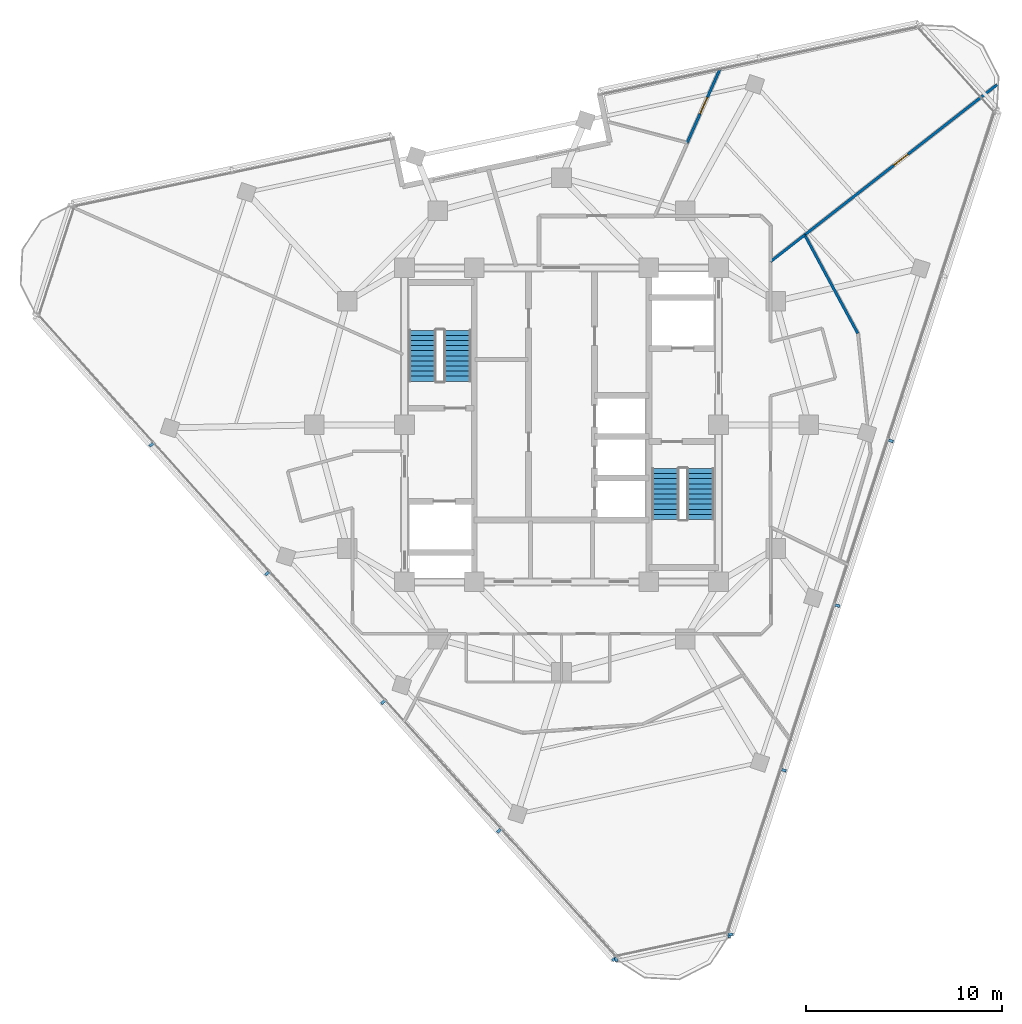
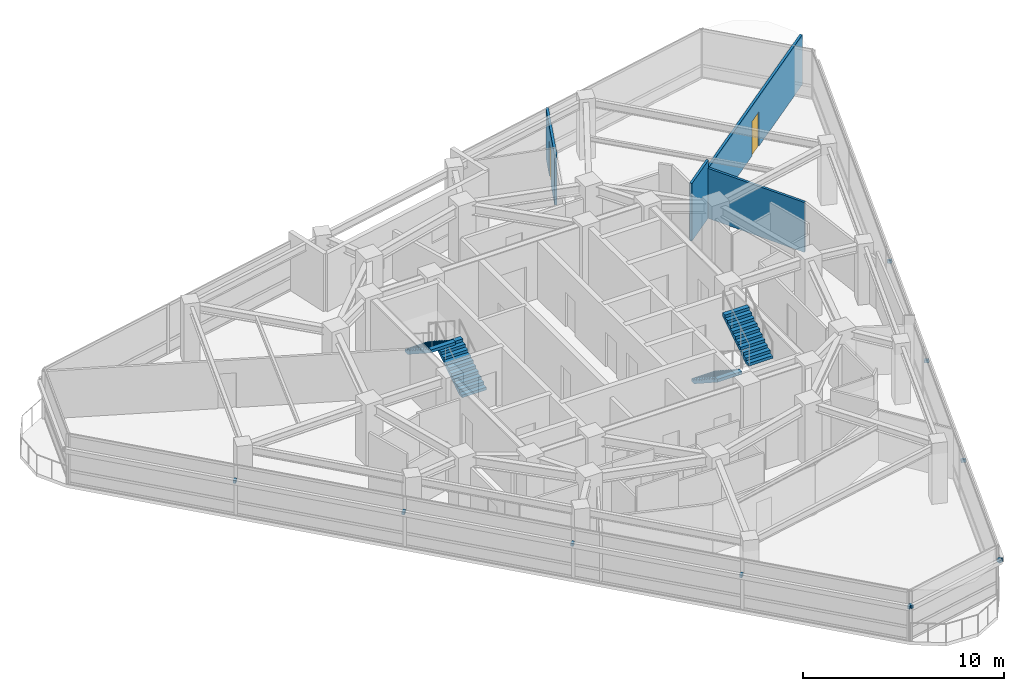
# One storey, part 10 of 15: 11 discrete accessories, 4 stair flights, 4 walls, 2 doors, 2 openings, 2 elements without a shape of their own.
"""IFC4 building model written with IfcOpenShell, lengths in metres."""

from ifc_helpers import new_model, si_unit, direction, frame, frame_2d, origin, origin_2d, place, context, subcontext, project, spatial, polyline, rectangle, outline, extrude, material, layer, layer_set, type_object, element, fill, aggregate, save


model = new_model("IFC4")

# Units and contexts
model_context = context("Model", 3, precision=1e-05, world=origin(), true_north=direction((0.0, 1.0)))
body_context = subcontext(model_context, "Body", "Model", "MODEL_VIEW")
ifc_project = project(units=[si_unit("LENGTHUNIT", "METRE"), si_unit("AREAUNIT", "SQUARE_METRE"), si_unit("VOLUMEUNIT", "CUBIC_METRE"), si_unit("PLANEANGLEUNIT", "RADIAN"), si_unit("MASSUNIT", "GRAM", prefix="KILO")], contexts=[model_context])

# Site, building, storey
site_placement = place(None, origin())
site = spatial("IfcSite", under=ifc_project, at=site_placement, CompositionType="ELEMENT")
building_placement = place(site_placement, origin())
building = spatial("IfcBuilding", under=site, at=building_placement, Name="Terralouvre Media Tower", CompositionType="ELEMENT")
storey_placement = place(building_placement, frame((0.0, 0.0, 298.0)))
storey = spatial("IfcBuildingStorey", under=building, at=storey_placement, Name="L77", CompositionType="ELEMENT", Elevation=298.0)

# Walls
ifc_material_1 = material(Name="Fire-rated gypsum board drywall partition")
ifc_layer = layer(ifc_material_1, 0.135009765625, Name="Newsroom Acoustic Partition PT-135")
ifc_layer_set = layer_set([ifc_layer], Name="Fire-rated gypsum board drywall partition")
wall_type = type_object("IfcWallType", Name="Newsroom Acoustic Partition PT-135", PredefinedType="PARTITIONING", material=ifc_layer_set)
wall_1_placement = place(storey_placement, frame((15.095947265625, 4.6630859375, 0.0), z_axis=(0.0, 0.0, 1.0), x_axis=(-0.474498198469, 0.88025647379, 0.0)))
element("IfcWall", 1, at=wall_1_placement, inside=storey, type_object=wall_type, Name="L77 Interior Partition 032", PredefinedType="PARTITIONING", context=body_context, shape_type="SweptSolid", body=[
    extrude(rectangle(XDim=5.700439453125, YDim=0.135009765625, at=frame_2d((2.85009765625, 0.0))), origin(), (0.0, 0.0, 1.0), 3.034912109375),
])
wall_2_placement = place(storey_placement, frame((12.39111328125, 9.680908203125, 0.0), z_axis=(0.0, 0.0, 1.0), x_axis=(-0.788124883644, -0.615515367624, 0.0)))
element("IfcWall", 2, at=wall_2_placement, inside=storey, type_object=wall_type, Name="L77 Interior Partition 033", PredefinedType="PARTITIONING", context=body_context, shape_type="SweptSolid", body=[
    extrude(rectangle(XDim=2.209228515625, YDim=0.135009765625, at=frame_2d((1.1044921875, 0.0))), origin(), (0.0, 0.0, 1.0), 3.5),
])

# Wall, opening, door
wall_3_placement = place(storey_placement, frame((22.1923828125, 17.33837890625, 0.0), z_axis=(0.0, 0.0, 1.0), x_axis=(-0.788015446076, -0.615655469192, 0.0)))
wall_3 = element("IfcWall", 3, at=wall_3_placement, inside=storey, type_object=wall_type, Name="L77 Interior Partition 047", PredefinedType="PARTITIONING", context=body_context, shape_type="SweptSolid", body=[
    extrude(rectangle(XDim=12.43798828125, YDim=0.135009765625, at=frame_2d((6.218994140625, 0.0))), origin(), (0.0, 0.0, 1.0), 3.034912109375),
])
opening_1_placement = place(wall_3_placement, frame((5.759033203125, 0.0, 0.0)))
opening_1 = element("IfcOpeningElement", 4, at=opening_1_placement, cuts=wall_3, Name="Opening ID-03-92X210", PredefinedType="OPENING", context=body_context, shape_type="SweptSolid", body=[
    extrude(rectangle(XDim=0.919921875, YDim=2.10009765625, at=frame_2d((0.4599609375, 1.050048828125))), frame((0.0, 0.077392578125, 0.0), z_axis=(0.0, -1.0, 0.0), x_axis=(1.0, 0.0, 0.0)), (0.0, 0.0, 1.0), 0.155029296875),
])
ifc_material_2 = material(Name="Engineered hardwood acoustic timber leaf", Category="wood")
door_type = type_object("IfcDoorType", Name="Accessible Restroom and Suite Door ID-03 (920x2100)", OperationType="NOTDEFINED", PredefinedType="DOOR", material=ifc_material_2)
door_1_placement = place(opening_1_placement, origin())
door_1 = element("IfcDoor", 5, at=door_1_placement, inside=storey, type_object=door_type, Name="L77 Podcast Editing Creative Workshop 6 Door", OperationType="SINGLE_SWING_RIGHT", OverallHeight=2.10009765625, OverallWidth=0.919921875, PredefinedType="DOOR", context=body_context, shape_type="SweptSolid", body=[
    extrude(rectangle(XDim=0.919921875, YDim=2.10009765625, at=frame_2d((0.4599609375, 1.050048828125))), frame((0.0, 0.02490234375, 0.0), z_axis=(0.0, -1.0, 0.0), x_axis=(1.0, 0.0, 0.0)), (0.0, 0.0, 1.0), 0.050048828125),
])
fill(opening_1, door_1)

wall_4_placement = place(storey_placement, frame((8.092041015625, 18.176025390625, 0.0), z_axis=(0.0, 0.0, 1.0), x_axis=(-0.406654666586, -0.91358195152, 0.0)))
wall_4 = element("IfcWall", 6, at=wall_4_placement, inside=storey, type_object=wall_type, Name="L77 Interior Partition 048", PredefinedType="PARTITIONING", context=body_context, shape_type="SweptSolid", body=[
    extrude(rectangle(XDim=4.168212890625, YDim=0.135009765625, at=frame_2d((2.083984375, 0.0))), origin(), (0.0, 0.0, 1.0), 3.034912109375),
])
opening_2_placement = place(wall_4_placement, frame((1.6240234375, 0.0, 0.0)))
opening_2 = element("IfcOpeningElement", 7, at=opening_2_placement, cuts=wall_4, Name="Opening ID-03-92X210", PredefinedType="OPENING", context=body_context, shape_type="SweptSolid", body=[
    extrude(rectangle(XDim=0.919921875, YDim=2.10009765625, at=frame_2d((0.4599609375, 1.050048828125))), frame((0.0, 0.077392578125, 0.0), z_axis=(0.0, -1.0, 0.0), x_axis=(1.0, 0.0, 0.0)), (0.0, 0.0, 1.0), 0.155029296875),
])
door_2_placement = place(opening_2_placement, origin())
door_2 = element("IfcDoor", 8, at=door_2_placement, inside=storey, type_object=door_type, Name="L77 Barista Coffee Tea Pantry 8 Door", OperationType="SINGLE_SWING_LEFT", OverallHeight=2.10009765625, OverallWidth=0.919921875, PredefinedType="DOOR", context=body_context, shape_type="SweptSolid", body=[
    extrude(rectangle(XDim=0.919921875, YDim=2.10009765625, at=frame_2d((0.4599609375, 1.050048828125))), frame((0.0, 0.02490234375, 0.0), z_axis=(0.0, -1.0, 0.0), x_axis=(1.0, 0.0, 0.0)), (0.0, 0.0, 1.0), 0.050048828125),
])
fill(opening_2, door_2)

# Stair, stair flights
ifc_material_3 = material(Name="Concrete C45/55", Category="concrete")
stair_type_1 = type_object("IfcStairType", Name="Dogleg Stair Assembly ST-01", PredefinedType="HALF_TURN_STAIR", material=ifc_material_3)
stair_1_placement = place(storey_placement, origin())
stair_1 = element("IfcStair", 9, at=stair_1_placement, inside=storey, type_object=stair_type_1, Name="L77 Core Pressurised Exit Stair ST-01", PredefinedType="HALF_TURN_STAIR")
ifc_material_4 = material(Name="Concrete C45/55", Category="concrete")
stair_flight_type = type_object("IfcStairFlightType", Name="Reinforced Concrete Stair Flight SF-RC1", PredefinedType="STRAIGHT", material=ifc_material_4)
stair_flight_1_placement = place(storey_placement, frame((-5.300048828125, 2.219970703125, 0.0), z_axis=(0.0, 0.0, 1.0), x_axis=(0.0, 1.0, 0.0)))
stair_flight_1 = element("IfcStairFlight", 10, at=stair_flight_1_placement, type_object=stair_flight_type, Name="ST-01 flight 1", NumberOfRisers=11, NumberOfTreads=10, PredefinedType="STRAIGHT", RiserHeight=0.168181818, TreadLength=0.26, context=body_context, shape_type="SweptSolid", body=[
    extrude(outline(polyline([(0.0, 0.0), (0.0, 0.168212890625), (0.260009765625, 0.168212890625), (0.260009765625, 0.33642578125), (0.52001953125, 0.33642578125), (0.52001953125, 0.504638671875), (0.780029296875, 0.504638671875), (0.780029296875, 0.672607421875), (1.0400390625, 0.672607421875), (1.0400390625, 0.8408203125), (1.300048828125, 0.8408203125), (1.300048828125, 1.009033203125), (1.56005859375, 1.009033203125), (1.56005859375, 1.17724609375), (1.820068359375, 1.17724609375), (1.820068359375, 1.345458984375), (2.080078125, 1.345458984375), (2.080078125, 1.513671875), (2.340087890625, 1.513671875), (2.340087890625, 1.681884765625), (2.60009765625, 1.681884765625), (2.60009765625, 1.85009765625), (2.60009765625, 1.503173828125), (0.27587890625, 0.0), (0.0, 0.0)])), frame((0.0, 0.699951171875, 0.0), z_axis=(0.0, -1.0, 0.0), x_axis=(1.0, 0.0, 0.0)), (0.0, 0.0, 1.0), 1.39990234375),
])
stair_flight_2_placement = place(storey_placement, frame((-7.080078125, 4.820068359375, 1.85009765625), z_axis=(0.0, 0.0, 1.0), x_axis=(0.0, -1.0, 0.0)))
stair_flight_2 = element("IfcStairFlight", 11, at=stair_flight_2_placement, type_object=stair_flight_type, Name="ST-01 flight 2", NumberOfRisers=11, NumberOfTreads=10, PredefinedType="STRAIGHT", RiserHeight=0.168181818, TreadLength=0.26, context=body_context, shape_type="SweptSolid", body=[
    extrude(outline(polyline([(0.0, 0.0), (0.0, 0.168212890625), (0.260009765625, 0.168212890625), (0.260009765625, 0.33642578125), (0.52001953125, 0.33642578125), (0.52001953125, 0.504638671875), (0.780029296875, 0.504638671875), (0.780029296875, 0.672607421875), (1.0400390625, 0.672607421875), (1.0400390625, 0.8408203125), (1.300048828125, 0.8408203125), (1.300048828125, 1.009033203125), (1.56005859375, 1.009033203125), (1.56005859375, 1.17724609375), (1.820068359375, 1.17724609375), (1.820068359375, 1.345458984375), (2.080078125, 1.345458984375), (2.080078125, 1.513671875), (2.340087890625, 1.513671875), (2.340087890625, 1.681884765625), (2.60009765625, 1.681884765625), (2.60009765625, 1.85009765625), (2.60009765625, 1.503173828125), (0.27587890625, 0.0), (0.0, 0.0)])), frame((0.0, 0.699951171875, 0.0), z_axis=(0.0, -1.0, 0.0), x_axis=(1.0, 0.0, 0.0)), (0.0, 0.0, 1.0), 1.39990234375),
])
aggregate(stair_1, [stair_flight_1, stair_flight_2])

ifc_material_5 = material(Name="Concrete C45/55", Category="concrete")
stair_type_2 = type_object("IfcStairType", Name="Dogleg Stair Assembly ST-02", PredefinedType="HALF_TURN_STAIR", material=ifc_material_5)
stair_2_placement = place(storey_placement, origin())
stair_2 = element("IfcStair", 12, at=stair_2_placement, inside=storey, type_object=stair_type_2, Name="L77 Core Pressurised Exit Stair ST-02", PredefinedType="HALF_TURN_STAIR")
stair_flight_3_placement = place(storey_placement, frame((5.300048828125, -2.219970703125, 0.0), z_axis=(0.0, 0.0, 1.0), x_axis=(0.0, -1.0, 0.0)))
stair_flight_3 = element("IfcStairFlight", 13, at=stair_flight_3_placement, type_object=stair_flight_type, Name="ST-02 flight 1", NumberOfRisers=11, NumberOfTreads=10, PredefinedType="STRAIGHT", RiserHeight=0.168181818, TreadLength=0.26, context=body_context, shape_type="SweptSolid", body=[
    extrude(outline(polyline([(0.0, 0.0), (0.0, 0.168212890625), (0.260009765625, 0.168212890625), (0.260009765625, 0.33642578125), (0.52001953125, 0.33642578125), (0.52001953125, 0.504638671875), (0.780029296875, 0.504638671875), (0.780029296875, 0.672607421875), (1.0400390625, 0.672607421875), (1.0400390625, 0.8408203125), (1.300048828125, 0.8408203125), (1.300048828125, 1.009033203125), (1.56005859375, 1.009033203125), (1.56005859375, 1.17724609375), (1.820068359375, 1.17724609375), (1.820068359375, 1.345458984375), (2.080078125, 1.345458984375), (2.080078125, 1.513671875), (2.340087890625, 1.513671875), (2.340087890625, 1.681884765625), (2.60009765625, 1.681884765625), (2.60009765625, 1.85009765625), (2.60009765625, 1.503173828125), (0.27587890625, 0.0), (0.0, 0.0)])), frame((0.0, 0.699951171875, 0.0), z_axis=(0.0, -1.0, 0.0), x_axis=(1.0, 0.0, 0.0)), (0.0, 0.0, 1.0), 1.39990234375),
])
stair_flight_4_placement = place(storey_placement, frame((7.080078125, -4.820068359375, 1.85009765625), z_axis=(0.0, 0.0, 1.0), x_axis=(0.0, 1.0, 0.0)))
stair_flight_4 = element("IfcStairFlight", 14, at=stair_flight_4_placement, type_object=stair_flight_type, Name="ST-02 flight 2", NumberOfRisers=11, NumberOfTreads=10, PredefinedType="STRAIGHT", RiserHeight=0.168181818, TreadLength=0.26, context=body_context, shape_type="SweptSolid", body=[
    extrude(outline(polyline([(0.0, 0.0), (0.0, 0.168212890625), (0.260009765625, 0.168212890625), (0.260009765625, 0.33642578125), (0.52001953125, 0.33642578125), (0.52001953125, 0.504638671875), (0.780029296875, 0.504638671875), (0.780029296875, 0.672607421875), (1.0400390625, 0.672607421875), (1.0400390625, 0.8408203125), (1.300048828125, 0.8408203125), (1.300048828125, 1.009033203125), (1.56005859375, 1.009033203125), (1.56005859375, 1.17724609375), (1.820068359375, 1.17724609375), (1.820068359375, 1.345458984375), (2.080078125, 1.345458984375), (2.080078125, 1.513671875), (2.340087890625, 1.513671875), (2.340087890625, 1.681884765625), (2.60009765625, 1.681884765625), (2.60009765625, 1.85009765625), (2.60009765625, 1.503173828125), (0.27587890625, 0.0), (0.0, 0.0)])), frame((0.0, 0.699951171875, 0.0), z_axis=(0.0, -1.0, 0.0), x_axis=(1.0, 0.0, 0.0)), (0.0, 0.0, 1.0), 1.39990234375),
])
aggregate(stair_2, [stair_flight_3, stair_flight_4])

# Discrete accessories
ifc_material_6 = material(Name="Anodised extruded aluminium 6063-T6", Category="aluminium")
discrete_accessory_type = type_object("IfcDiscreteAccessoryType", Name="Mullion Stand-Off Baguette Fixing Bracket BK-01", PredefinedType="BRACKET", material=ifc_material_6)
for number, where, z_axis, x_axis, name in (
    (15, (8.617431640625, -25.955810546875, 2.07421875), (0.0, 0.0, 1.0), (0.309017021946, 0.951056507337, 0.0), "CW-L77-F0 Baguette Outrigger Bracket 1.01"),
    (16, (11.33251953125, -17.599365234375, 2.07421875), (0.0, 0.0, 1.0), (0.309017021946, 0.951056507337, 0.0), "CW-L77-F0 Baguette Outrigger Bracket 1.02"),
    (17, (14.059326171875, -9.207275390625, 2.07421875), (0.0, 0.0, 1.0), (0.309017021946, 0.951056507337, 0.0), "CW-L77-F0 Baguette Outrigger Bracket 1.03"),
    (18, (16.7861328125, -0.815185546875, 2.07421875), (0.0, 0.0, 1.0), (0.309017021946, 0.951056507337, 0.0), "CW-L77-F0 Baguette Outrigger Bracket 1.04"),
    (19, (-20.90771484375, -1.0146484375, 2.07421875), (0.0, 0.0, 1.0), (0.669130573531, -0.743144855036, 0.0), "CW-L77-F2 Baguette Outrigger Bracket 1.02"),
    (20, (-15.00341796875, -7.572021484375, 2.07421875), (0.0, 0.0, 1.0), (0.669130573531, -0.743144855036, 0.0), "CW-L77-F2 Baguette Outrigger Bracket 1.03"),
    (21, (-9.098876953125, -14.129638671875, 2.07421875), (0.0, 0.0, 1.0), (0.669130573531, -0.743144855036, 0.0), "CW-L77-F2 Baguette Outrigger Bracket 1.04"),
    (22, (-3.194580078125, -20.68701171875, 2.07421875), (0.0, 0.0, 1.0), (0.669130573531, -0.743144855036, 0.0), "CW-L77-F2 Baguette Outrigger Bracket 1.05"),
    (23, (2.684814453125, -27.216796875, 2.07421875), (0.0, 0.0, 1.0), (0.669130573531, -0.743144855036, 0.0), "CW-L77-F2 Baguette Outrigger Bracket 1.06"),
    (24, (2.780517578125, -27.229736328125, 2.07421875), (0.0, 0.0, 1.0), (0.978147609922, 0.207911647592, 0.0), "CW-L77-C0 Baguette Outrigger Bracket 1.01"),
    (25, (8.53515625, -26.00634765625, 2.07421875), (0.0, 0.0, 1.0), (0.978147609922, 0.207911647592, 0.0), "CW-L77-C0 Baguette Outrigger Bracket 1.02"),
):
    element("IfcDiscreteAccessory", number, at=place(storey_placement, frame(where, z_axis=z_axis, x_axis=x_axis)), inside=storey, type_object=discrete_accessory_type, Name=name, PredefinedType="BRACKET", context=body_context, shape_type="SweptSolid", body=[
        extrude(rectangle(XDim=0.139892578125, YDim=0.239990234375, at=origin_2d()), origin(), (0.0, 0.0, 1.0), 0.179931640625),
    ])

save(model, "model.ifc")
